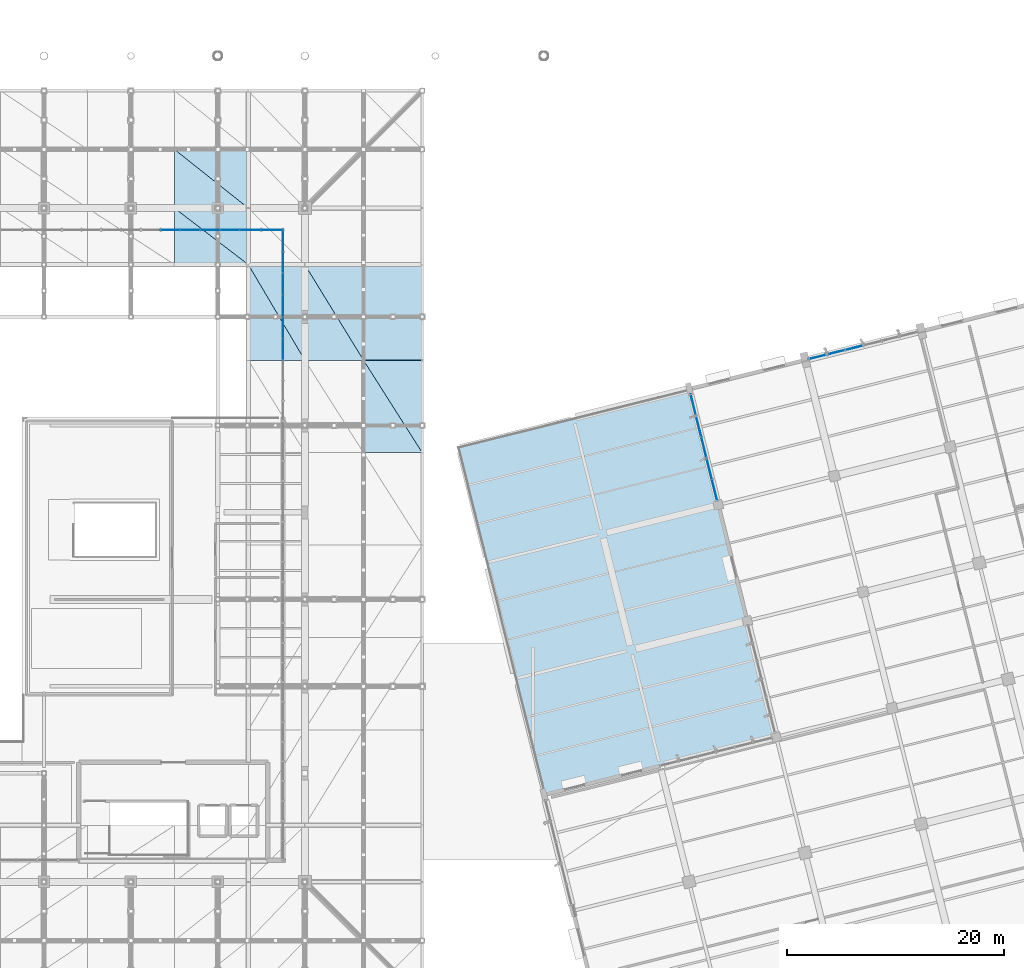
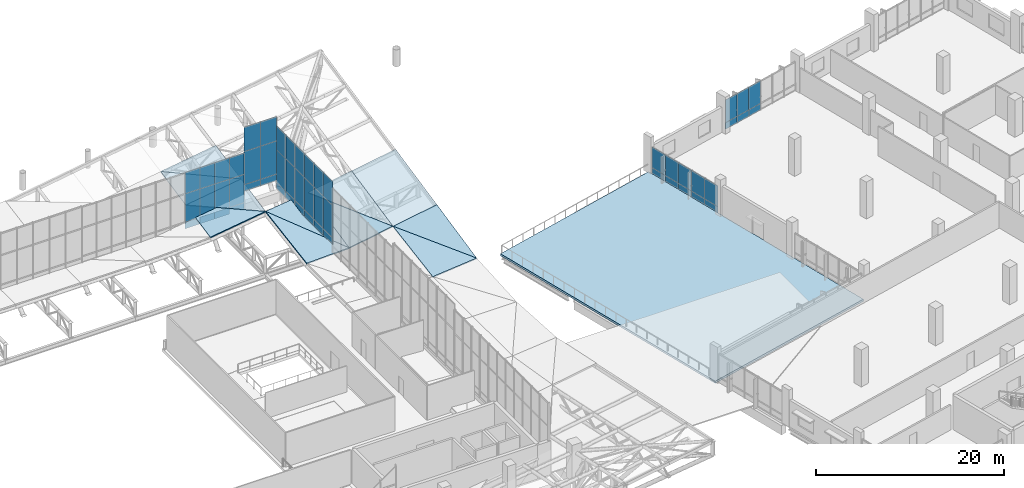
# One storey, part 112 of 137: 52 plates, 12 slabs, 6 elements without a shape of their own.
"""IFC4 building model written with IfcOpenShell, lengths in metres."""

from ifc_helpers import new_model, si_unit, direction, frame, origin, origin_2d, place, context, subcontext, project, spatial, polyline, rectangle, outline, extrude, material, layer, layer_set, type_object, element, aggregate, save


model = new_model("IFC4")

# Units and contexts
model_context = context("Model", 3, precision=1e-05, world=origin(), true_north=direction((0.0, 1.0)))
body_context = subcontext(model_context, "Body", "Model", "MODEL_VIEW")
ifc_project = project(units=[si_unit("LENGTHUNIT", "METRE"), si_unit("AREAUNIT", "SQUARE_METRE"), si_unit("VOLUMEUNIT", "CUBIC_METRE"), si_unit("PLANEANGLEUNIT", "RADIAN"), si_unit("MASSUNIT", "GRAM", prefix="KILO")], contexts=[model_context])

# Site, building, storey
site_placement = place(None, origin())
site = spatial("IfcSite", under=ifc_project, at=site_placement, CompositionType="ELEMENT")
building_placement = place(site_placement, origin())
building = spatial("IfcBuilding", under=site, at=building_placement, Name="Khorjan Park Terminus", CompositionType="ELEMENT")
storey_placement = place(building_placement, frame((0.0, 0.0, 11.4)))
storey = spatial("IfcBuildingStorey", under=building, at=storey_placement, Name="L02", CompositionType="ELEMENT", Elevation=11.4)

# Curtain wall, plates
ifc_material_1 = material(Name="Anodized Bronze Aluminium", Category="aluminium")
ifc_layer_1 = layer(ifc_material_1, 0.22)
ifc_layer_set_1 = layer_set([ifc_layer_1], Name="Anodized Bronze Aluminium")
curtain_wall_type_1 = type_object("IfcCurtainWallType", Name="CW-OPS-B", PredefinedType="NOTDEFINED", material=ifc_layer_set_1)
curtain_wall_1_placement = place(storey_placement, origin())
curtain_wall_1 = element("IfcCurtainWall", 1, at=curtain_wall_1_placement, inside=storey, type_object=curtain_wall_type_1, Name="Unitized curtain wall CW-B (CW-V5-N1-L02-B03)", PredefinedType="NOTDEFINED")
ifc_material_2 = material(Name="Low-E Solar Control Double Glazing", Category="glass")
ifc_layer_2 = layer(ifc_material_2, 0.032)
ifc_layer_set_2 = layer_set([ifc_layer_2], Name="Low-E Solar Control Double Glazing")
plate_type_1 = type_object("IfcPlateType", Name="GL-VIS-32", PredefinedType="CURTAIN_PANEL", material=ifc_layer_set_2)
plate_1_placement = place(storey_placement, frame((186.5534, 75.145, 0.833), z_axis=(0.0, 0.0, 1.0), x_axis=(-0.970295910648, -0.241921156122, 0.0)))
plate_1 = element("IfcPlate", 2, at=plate_1_placement, type_object=plate_type_1, Name="Curtain-wall panel VP-32 (CW-V5-N1-L02-B03-3-2)", PredefinedType="CURTAIN_PANEL", context=body_context, shape_type="SweptSolid", body=[
    extrude(rectangle(XDim=1.7233, YDim=0.032, at=origin_2d()), origin(), (0.0, 0.0, 1.0), 2.962),
])
plate_2_placement = place(storey_placement, frame((184.8813, 74.7281, 0.833), z_axis=(0.0, 0.0, 1.0), x_axis=(-0.970295910648, -0.241921156122, 0.0)))
plate_2 = element("IfcPlate", 3, at=plate_2_placement, type_object=plate_type_1, Name="Curtain-wall panel VP-32 (CW-V5-N1-L02-B03-4-2)", PredefinedType="CURTAIN_PANEL", context=body_context, shape_type="SweptSolid", body=[
    extrude(rectangle(XDim=1.7233, YDim=0.032, at=origin_2d()), origin(), (0.0, 0.0, 1.0), 2.962),
])
plate_3_placement = place(storey_placement, frame((183.2092, 74.3113, 0.833), z_axis=(0.0, 0.0, 1.0), x_axis=(-0.970295910648, -0.241921156122, 0.0)))
plate_3 = element("IfcPlate", 4, at=plate_3_placement, type_object=plate_type_1, Name="Curtain-wall panel VP-32 (CW-V5-N1-L02-B03-5-2)", PredefinedType="CURTAIN_PANEL", context=body_context, shape_type="SweptSolid", body=[
    extrude(rectangle(XDim=1.7233, YDim=0.032, at=origin_2d()), origin(), (0.0, 0.0, 1.0), 2.962),
])

ifc_layer_3 = layer(ifc_material_1, 0.22)
ifc_layer_set_3 = layer_set([ifc_layer_3], Name="Anodized Bronze Aluminium")
curtain_wall_type_2 = type_object("IfcCurtainWallType", Name="CW-CONC-CLR", PredefinedType="NOTDEFINED", material=ifc_layer_set_3)
curtain_wall_2_placement = place(storey_placement, origin())
curtain_wall_2 = element("IfcCurtainWall", 5, at=curtain_wall_2_placement, inside=storey, type_object=curtain_wall_type_2, Name="Unitized curtain wall CW-CL (CW-V2-N-CLR-07)", PredefinedType="NOTDEFINED")
ifc_material_3 = material(Name="Acoustic Laminated Solar Glazing", Category="glass")
ifc_layer_4 = layer(ifc_material_3, 0.036)
ifc_layer_set_4 = layer_set([ifc_layer_4], Name="Acoustic Laminated Solar Glazing")
plate_type_2 = type_object("IfcPlateType", Name="GL-VIS-36", PredefinedType="CURTAIN_PANEL", material=ifc_layer_set_4)
plate_4_placement = place(storey_placement, frame((129.0909, 86.0, 1.5663), z_axis=(0.0, 0.0, 1.0), x_axis=(-1.0, 0.0, 0.0)))
plate_4 = element("IfcPlate", 6, at=plate_4_placement, type_object=plate_type_2, Name="Curtain-wall panel VP-36 (CW-V2-N-CLR-07-0-2)", PredefinedType="CURTAIN_PANEL", context=body_context, shape_type="SweptSolid", body=[
    extrude(rectangle(XDim=1.8182, YDim=0.036, at=origin_2d()), origin(), (0.0, 0.0, 1.0), 3.6834),
])
plate_5_placement = place(storey_placement, frame((129.0909, 86.0, 5.2497), z_axis=(0.0, 0.0, 1.0), x_axis=(-1.0, 0.0, 0.0)))
plate_5 = element("IfcPlate", 7, at=plate_5_placement, type_object=plate_type_2, Name="Curtain-wall panel VP-36 (CW-V2-N-CLR-07-0-3)", PredefinedType="CURTAIN_PANEL", context=body_context, shape_type="SweptSolid", body=[
    extrude(rectangle(XDim=1.8182, YDim=0.036, at=origin_2d()), origin(), (0.0, 0.0, 1.0), 2.7886),
])
plate_6_placement = place(storey_placement, frame((127.2727, 86.0, 1.5663), z_axis=(0.0, 0.0, 1.0), x_axis=(-1.0, 0.0, 0.0)))
plate_6 = element("IfcPlate", 8, at=plate_6_placement, type_object=plate_type_2, Name="Curtain-wall panel VP-36 (CW-V2-N-CLR-07-1-2)", PredefinedType="CURTAIN_PANEL", context=body_context, shape_type="SweptSolid", body=[
    extrude(rectangle(XDim=1.8182, YDim=0.036, at=origin_2d()), origin(), (0.0, 0.0, 1.0), 3.6834),
])
plate_7_placement = place(storey_placement, frame((127.2727, 86.0, 5.2497), z_axis=(0.0, 0.0, 1.0), x_axis=(-1.0, 0.0, 0.0)))
plate_7 = element("IfcPlate", 9, at=plate_7_placement, type_object=plate_type_2, Name="Curtain-wall panel VP-36 (CW-V2-N-CLR-07-1-3)", PredefinedType="CURTAIN_PANEL", context=body_context, shape_type="SweptSolid", body=[
    extrude(rectangle(XDim=1.8182, YDim=0.036, at=origin_2d()), origin(), (0.0, 0.0, 1.0), 2.7886),
])
plate_8_placement = place(storey_placement, frame((125.4546, 86.0, 1.5663), z_axis=(0.0, 0.0, 1.0), x_axis=(-1.0, 0.0, 0.0)))
plate_8 = element("IfcPlate", 10, at=plate_8_placement, type_object=plate_type_2, Name="Curtain-wall panel VP-36 (CW-V2-N-CLR-07-2-2)", PredefinedType="CURTAIN_PANEL", context=body_context, shape_type="SweptSolid", body=[
    extrude(rectangle(XDim=1.8182, YDim=0.036, at=origin_2d()), origin(), (0.0, 0.0, 1.0), 3.6834),
])
plate_9_placement = place(storey_placement, frame((125.4546, 86.0, 5.2497), z_axis=(0.0, 0.0, 1.0), x_axis=(-1.0, 0.0, 0.0)))
plate_9 = element("IfcPlate", 11, at=plate_9_placement, type_object=plate_type_2, Name="Curtain-wall panel VP-36 (CW-V2-N-CLR-07-2-3)", PredefinedType="CURTAIN_PANEL", context=body_context, shape_type="SweptSolid", body=[
    extrude(rectangle(XDim=1.8182, YDim=0.036, at=origin_2d()), origin(), (0.0, 0.0, 1.0), 2.7886),
])
plate_10_placement = place(storey_placement, frame((123.6364, 86.0, 1.5663), z_axis=(0.0, 0.0, 1.0), x_axis=(-1.0, 0.0, 0.0)))
plate_10 = element("IfcPlate", 12, at=plate_10_placement, type_object=plate_type_2, Name="Curtain-wall panel VP-36 (CW-V2-N-CLR-07-3-2)", PredefinedType="CURTAIN_PANEL", context=body_context, shape_type="SweptSolid", body=[
    extrude(rectangle(XDim=1.8182, YDim=0.036, at=origin_2d()), origin(), (0.0, 0.0, 1.0), 3.6834),
])
plate_11_placement = place(storey_placement, frame((123.6364, 86.0, 5.2497), z_axis=(0.0, 0.0, 1.0), x_axis=(-1.0, 0.0, 0.0)))
plate_11 = element("IfcPlate", 13, at=plate_11_placement, type_object=plate_type_2, Name="Curtain-wall panel VP-36 (CW-V2-N-CLR-07-3-3)", PredefinedType="CURTAIN_PANEL", context=body_context, shape_type="SweptSolid", body=[
    extrude(rectangle(XDim=1.8182, YDim=0.036, at=origin_2d()), origin(), (0.0, 0.0, 1.0), 2.7886),
])

curtain_wall_3_placement = place(storey_placement, origin())
curtain_wall_3 = element("IfcCurtainWall", 14, at=curtain_wall_3_placement, inside=storey, type_object=curtain_wall_type_2, Name="Unitized curtain wall CW-CL (CW-V2-N-CLR-08)", PredefinedType="NOTDEFINED")
plate_12_placement = place(storey_placement, frame((133.0, 86.0, 3.8909), z_axis=(0.0, 0.0, 1.0), x_axis=(-1.0, 0.0, 0.0)))
plate_12 = element("IfcPlate", 15, at=plate_12_placement, type_object=plate_type_2, Name="Curtain-wall panel VP-36 (CW-V2-N-CLR-08-0-2)", PredefinedType="CURTAIN_PANEL", context=body_context, shape_type="SweptSolid", body=[
    extrude(rectangle(XDim=2.0, YDim=0.036, at=origin_2d()), origin(), (0.0, 0.0, 1.0), 4.3153),
])
plate_13_placement = place(storey_placement, frame((133.0, 86.0, 8.2062), z_axis=(0.0, 0.0, 1.0), x_axis=(-1.0, 0.0, 0.0)))
plate_13 = element("IfcPlate", 16, at=plate_13_placement, type_object=plate_type_2, Name="Curtain-wall panel VP-36 (CW-V2-N-CLR-08-0-3)", PredefinedType="CURTAIN_PANEL", context=body_context, shape_type="SweptSolid", body=[
    extrude(rectangle(XDim=2.0, YDim=0.036, at=origin_2d()), origin(), (0.0, 0.0, 1.0), 3.1758),
])
plate_14_placement = place(storey_placement, frame((131.0, 86.0, 3.8909), z_axis=(0.0, 0.0, 1.0), x_axis=(-1.0, 0.0, 0.0)))
plate_14 = element("IfcPlate", 17, at=plate_14_placement, type_object=plate_type_2, Name="Curtain-wall panel VP-36 (CW-V2-N-CLR-08-1-2)", PredefinedType="CURTAIN_PANEL", context=body_context, shape_type="SweptSolid", body=[
    extrude(rectangle(XDim=2.0, YDim=0.036, at=origin_2d()), origin(), (0.0, 0.0, 1.0), 4.3153),
])
plate_15_placement = place(storey_placement, frame((131.0, 86.0, 8.2062), z_axis=(0.0, 0.0, 1.0), x_axis=(-1.0, 0.0, 0.0)))
plate_15 = element("IfcPlate", 18, at=plate_15_placement, type_object=plate_type_2, Name="Curtain-wall panel VP-36 (CW-V2-N-CLR-08-1-3)", PredefinedType="CURTAIN_PANEL", context=body_context, shape_type="SweptSolid", body=[
    extrude(rectangle(XDim=2.0, YDim=0.036, at=origin_2d()), origin(), (0.0, 0.0, 1.0), 3.1758),
])

curtain_wall_4_placement = place(storey_placement, origin())
curtain_wall_4 = element("IfcCurtainWall", 19, at=curtain_wall_4_placement, inside=storey, type_object=curtain_wall_type_2, Name="Unitized curtain wall CW-CL (CW-V2-E-CLR-04)", PredefinedType="NOTDEFINED")
plate_16_placement = place(storey_placement, frame((134.0, 75.0, 2.8378), z_axis=(0.0, 0.0, 1.0), x_axis=(0.0, 1.0, 0.0)))
plate_16 = element("IfcPlate", 20, at=plate_16_placement, type_object=plate_type_2, Name="Curtain-wall panel VP-36 (CW-V2-E-CLR-04-0-2)", PredefinedType="CURTAIN_PANEL", context=body_context, shape_type="SweptSolid", body=[
    extrude(rectangle(XDim=2.0, YDim=0.036, at=origin_2d()), origin(), (0.0, 0.0, 1.0), 4.2298),
])
plate_17_placement = place(storey_placement, frame((134.0, 75.0, 7.0676), z_axis=(0.0, 0.0, 1.0), x_axis=(0.0, 1.0, 0.0)))
plate_17 = element("IfcPlate", 21, at=plate_17_placement, type_object=plate_type_2, Name="Curtain-wall panel VP-36 (CW-V2-E-CLR-04-0-3)", PredefinedType="CURTAIN_PANEL", context=body_context, shape_type="SweptSolid", body=[
    extrude(rectangle(XDim=2.0, YDim=0.036, at=origin_2d()), origin(), (0.0, 0.0, 1.0), 3.1234),
])
plate_18_placement = place(storey_placement, frame((134.0, 77.0, 2.8378), z_axis=(0.0, 0.0, 1.0), x_axis=(0.0, 1.0, 0.0)))
plate_18 = element("IfcPlate", 22, at=plate_18_placement, type_object=plate_type_2, Name="Curtain-wall panel VP-36 (CW-V2-E-CLR-04-1-2)", PredefinedType="CURTAIN_PANEL", context=body_context, shape_type="SweptSolid", body=[
    extrude(rectangle(XDim=2.0, YDim=0.036, at=origin_2d()), origin(), (0.0, 0.0, 1.0), 4.2298),
])
plate_19_placement = place(storey_placement, frame((134.0, 77.0, 7.0676), z_axis=(0.0, 0.0, 1.0), x_axis=(0.0, 1.0, 0.0)))
plate_19 = element("IfcPlate", 23, at=plate_19_placement, type_object=plate_type_2, Name="Curtain-wall panel VP-36 (CW-V2-E-CLR-04-1-3)", PredefinedType="CURTAIN_PANEL", context=body_context, shape_type="SweptSolid", body=[
    extrude(rectangle(XDim=2.0, YDim=0.036, at=origin_2d()), origin(), (0.0, 0.0, 1.0), 3.1234),
])
plate_20_placement = place(storey_placement, frame((134.0, 79.0, 2.8378), z_axis=(0.0, 0.0, 1.0), x_axis=(0.0, 1.0, 0.0)))
plate_20 = element("IfcPlate", 24, at=plate_20_placement, type_object=plate_type_2, Name="Curtain-wall panel VP-36 (CW-V2-E-CLR-04-2-2)", PredefinedType="CURTAIN_PANEL", context=body_context, shape_type="SweptSolid", body=[
    extrude(rectangle(XDim=2.0, YDim=0.036, at=origin_2d()), origin(), (0.0, 0.0, 1.0), 4.2298),
])
plate_21_placement = place(storey_placement, frame((134.0, 79.0, 7.0676), z_axis=(0.0, 0.0, 1.0), x_axis=(0.0, 1.0, 0.0)))
plate_21 = element("IfcPlate", 25, at=plate_21_placement, type_object=plate_type_2, Name="Curtain-wall panel VP-36 (CW-V2-E-CLR-04-2-3)", PredefinedType="CURTAIN_PANEL", context=body_context, shape_type="SweptSolid", body=[
    extrude(rectangle(XDim=2.0, YDim=0.036, at=origin_2d()), origin(), (0.0, 0.0, 1.0), 3.1234),
])
plate_22_placement = place(storey_placement, frame((134.0, 81.0, 2.8378), z_axis=(0.0, 0.0, 1.0), x_axis=(0.0, 1.0, 0.0)))
plate_22 = element("IfcPlate", 26, at=plate_22_placement, type_object=plate_type_2, Name="Curtain-wall panel VP-36 (CW-V2-E-CLR-04-3-2)", PredefinedType="CURTAIN_PANEL", context=body_context, shape_type="SweptSolid", body=[
    extrude(rectangle(XDim=2.0, YDim=0.036, at=origin_2d()), origin(), (0.0, 0.0, 1.0), 4.2298),
])
plate_23_placement = place(storey_placement, frame((134.0, 81.0, 7.0676), z_axis=(0.0, 0.0, 1.0), x_axis=(0.0, 1.0, 0.0)))
plate_23 = element("IfcPlate", 27, at=plate_23_placement, type_object=plate_type_2, Name="Curtain-wall panel VP-36 (CW-V2-E-CLR-04-3-3)", PredefinedType="CURTAIN_PANEL", context=body_context, shape_type="SweptSolid", body=[
    extrude(rectangle(XDim=2.0, YDim=0.036, at=origin_2d()), origin(), (0.0, 0.0, 1.0), 3.1234),
])
plate_24_placement = place(storey_placement, frame((134.0, 83.0, 2.8378), z_axis=(0.0, 0.0, 1.0), x_axis=(0.0, 1.0, 0.0)))
plate_24 = element("IfcPlate", 28, at=plate_24_placement, type_object=plate_type_2, Name="Curtain-wall panel VP-36 (CW-V2-E-CLR-04-4-2)", PredefinedType="CURTAIN_PANEL", context=body_context, shape_type="SweptSolid", body=[
    extrude(rectangle(XDim=2.0, YDim=0.036, at=origin_2d()), origin(), (0.0, 0.0, 1.0), 4.2298),
])
plate_25_placement = place(storey_placement, frame((134.0, 83.0, 7.0676), z_axis=(0.0, 0.0, 1.0), x_axis=(0.0, 1.0, 0.0)))
plate_25 = element("IfcPlate", 29, at=plate_25_placement, type_object=plate_type_2, Name="Curtain-wall panel VP-36 (CW-V2-E-CLR-04-4-3)", PredefinedType="CURTAIN_PANEL", context=body_context, shape_type="SweptSolid", body=[
    extrude(rectangle(XDim=2.0, YDim=0.036, at=origin_2d()), origin(), (0.0, 0.0, 1.0), 3.1234),
])
plate_26_placement = place(storey_placement, frame((134.0, 85.0, 2.8378), z_axis=(0.0, 0.0, 1.0), x_axis=(0.0, 1.0, 0.0)))
plate_26 = element("IfcPlate", 30, at=plate_26_placement, type_object=plate_type_2, Name="Curtain-wall panel VP-36 (CW-V2-E-CLR-04-5-2)", PredefinedType="CURTAIN_PANEL", context=body_context, shape_type="SweptSolid", body=[
    extrude(rectangle(XDim=2.0, YDim=0.036, at=origin_2d()), origin(), (0.0, 0.0, 1.0), 4.2298),
])
plate_27_placement = place(storey_placement, frame((134.0, 85.0, 7.0676), z_axis=(0.0, 0.0, 1.0), x_axis=(0.0, 1.0, 0.0)))
plate_27 = element("IfcPlate", 31, at=plate_27_placement, type_object=plate_type_2, Name="Curtain-wall panel VP-36 (CW-V2-E-CLR-04-5-3)", PredefinedType="CURTAIN_PANEL", context=body_context, shape_type="SweptSolid", body=[
    extrude(rectangle(XDim=2.0, YDim=0.036, at=origin_2d()), origin(), (0.0, 0.0, 1.0), 3.1234),
])

curtain_wall_5_placement = place(storey_placement, origin())
curtain_wall_5 = element("IfcCurtainWall", 32, at=curtain_wall_5_placement, inside=storey, type_object=curtain_wall_type_1, Name="Unitized curtain wall CW-B (CW-V5-NW1-L02-B01)", PredefinedType="NOTDEFINED")
plate_28_placement = place(storey_placement, frame((171.7514, 69.871, 0.76), z_axis=(0.0, 0.0, 1.0), x_axis=(0.241920791413, -0.97029600158, 0.0)))
plate_28 = element("IfcPlate", 33, at=plate_28_placement, type_object=plate_type_2, Name="Curtain-wall panel VP-36 (CW-V5-NW1-L02-B01-0-2)", PredefinedType="CURTAIN_PANEL", context=body_context, shape_type="SweptSolid", body=[
    extrude(rectangle(XDim=2.0131, YDim=0.036, at=origin_2d()), origin(), (0.0, 0.0, 1.0), 2.705),
])
plate_29_placement = place(storey_placement, frame((172.2384, 67.9177, 0.76), z_axis=(0.0, 0.0, 1.0), x_axis=(0.241920791413, -0.97029600158, 0.0)))
plate_29 = element("IfcPlate", 34, at=plate_29_placement, type_object=plate_type_2, Name="Curtain-wall panel VP-36 (CW-V5-NW1-L02-B01-1-2)", PredefinedType="CURTAIN_PANEL", context=body_context, shape_type="SweptSolid", body=[
    extrude(rectangle(XDim=2.0131, YDim=0.036, at=origin_2d()), origin(), (0.0, 0.0, 1.0), 2.705),
])
plate_30_placement = place(storey_placement, frame((172.7254, 65.9643, 0.76), z_axis=(0.0, 0.0, 1.0), x_axis=(0.241920791413, -0.97029600158, 0.0)))
plate_30 = element("IfcPlate", 35, at=plate_30_placement, type_object=plate_type_2, Name="Curtain-wall panel VP-36 (CW-V5-NW1-L02-B01-2-2)", PredefinedType="CURTAIN_PANEL", context=body_context, shape_type="SweptSolid", body=[
    extrude(rectangle(XDim=2.0131, YDim=0.036, at=origin_2d()), origin(), (0.0, 0.0, 1.0), 2.705),
])
plate_31_placement = place(storey_placement, frame((173.2125, 64.011, 0.76), z_axis=(0.0, 0.0, 1.0), x_axis=(0.241920791413, -0.97029600158, 0.0)))
plate_31 = element("IfcPlate", 36, at=plate_31_placement, type_object=plate_type_2, Name="Curtain-wall panel VP-36 (CW-V5-NW1-L02-B01-3-2)", PredefinedType="CURTAIN_PANEL", context=body_context, shape_type="SweptSolid", body=[
    extrude(rectangle(XDim=2.0131, YDim=0.036, at=origin_2d()), origin(), (0.0, 0.0, 1.0), 2.705),
])
plate_32_placement = place(storey_placement, frame((173.6995, 62.0577, 0.76), z_axis=(0.0, 0.0, 1.0), x_axis=(0.241920791413, -0.97029600158, 0.0)))
plate_32 = element("IfcPlate", 37, at=plate_32_placement, type_object=plate_type_2, Name="Curtain-wall panel VP-36 (CW-V5-NW1-L02-B01-4-2)", PredefinedType="CURTAIN_PANEL", context=body_context, shape_type="SweptSolid", body=[
    extrude(rectangle(XDim=2.0131, YDim=0.036, at=origin_2d()), origin(), (0.0, 0.0, 1.0), 2.705),
])

# Roof, slabs
ifc_material_4 = material(Name="Concrete C50/60", Category="concrete")
ifc_layer_5 = layer(ifc_material_4, 0.16)
ifc_layer_set_5 = layer_set([ifc_layer_5], Name="Concrete C50/60")
roof_type = type_object("IfcRoofType", Name="RF-SHELL-LOWER", PredefinedType="FREEFORM", material=ifc_layer_set_5)
roof_placement = place(storey_placement, origin())
roof = element("IfcRoof", 38, at=roof_placement, inside=storey, type_object=roof_type, Name="Lower 4-sided wrapping folded concrete shell roof RF-CS2 (4)", PredefinedType="FREEFORM")
ifc_layer_6 = layer(ifc_material_4, 0.16)
ifc_layer_set_6 = layer_set([ifc_layer_6], Name="Concrete C50/60")
slab_type_1 = type_object("IfcSlabType", Name="SL-SHL-160", PredefinedType="ROOF", material=ifc_layer_set_6)
slab_1_placement = place(storey_placement, frame((124.0, 82.8, 1.097), z_axis=(-0.141103373519, -0.194674451587, 0.97066559426), x_axis=(0.989598684842, 0.0, 0.143855632348)))
slab_1 = element("IfcSlab", 39, at=slab_1_placement, type_object=slab_type_1, Name="Lower 4-sided wrapping folded concrete shell facet RS-16 (143)", PredefinedType="ROOF", context=body_context, shape_type="SweptSolid", body=[
    extrude(outline(polyline([(0.0, 0.0), (6.871472349504156, 0.0), (0.15002703897577205, 5.301427383033385), (0.0, 0.0)])), origin(), (0.0, 0.0, -1.0), 0.16),
])
slab_2_placement = place(storey_placement, frame((130.8, 82.8, 2.0855), z_axis=(-0.143565966375, -0.197884192093, 0.969654917906), x_axis=(0.0, 0.979804962844, 0.199955582033)))
slab_2 = element("IfcSlab", 40, at=slab_2_placement, type_object=slab_type_1, Name="Lower 4-sided wrapping folded concrete shell facet RS-16 (144)", PredefinedType="ROOF", context=body_context, shape_type="SweptSolid", body=[
    extrude(outline(polyline([(0.0, 0.0), (5.307178670442519, -2.7755575615628914e-17), (5.1058633904519715, 6.8711802769278645), (0.0, 0.0)])), origin(), (0.0, 0.0, -1.0), 0.16),
])
slab_3_placement = place(storey_placement, frame((124.0, 88.0, 2.1399), z_axis=(-0.143662230538, -0.19460007699, 0.970305093026), x_axis=(0.989216268008, 0.0, 0.146462196857)))
slab_3 = element("IfcSlab", 41, at=slab_3_placement, type_object=slab_type_1, Name="Lower 4-sided wrapping folded concrete shell facet RS-16 (145)", PredefinedType="ROOF", context=body_context, shape_type="SweptSolid", body=[
    extrude(outline(polyline([(0.0, 0.0), (6.874128762250542, 2.7755575615628914e-17), (0.15861855919658724, 5.505245603302224), (0.0, 0.0)])), origin(), (0.0, 0.0, -1.0), 0.16),
])
slab_4_placement = place(storey_placement, frame((130.8, 88.0, 3.1467), z_axis=(-0.146217976754, -0.19780388759, 0.969274948262), x_axis=(0.0, 0.979805509738, 0.199952902172)))
slab_4 = element("IfcSlab", 42, at=slab_4_placement, type_object=slab_type_1, Name="Lower 4-sided wrapping folded concrete shell facet RS-16 (146)", PredefinedType="ROOF", context=body_context, shape_type="SweptSolid", body=[
    extrude(outline(polyline([(0.0, 0.0), (5.511297850778894, 0.0), (5.3061861637304, 6.873877714640861), (0.0, 0.0)])), origin(), (0.0, 0.0, -1.0), 0.16),
])
slab_5_placement = place(storey_placement, frame((130.8, 74.0, 0.654), z_axis=(-0.039658612893, -0.160433667371, 0.986249579365), x_axis=(0.999192495237, 0.0, 0.040179067453)))
slab_5 = element("IfcSlab", 43, at=slab_5_placement, type_object=slab_type_1, Name="Lower 4-sided wrapping folded concrete shell facet RS-16 (163)", PredefinedType="ROOF", context=body_context, shape_type="SweptSolid", body=[
    extrude(outline(polyline([(0.0, 0.0), (5.204202418238542, 0.0), (0.05751633505856441, 8.915485635746457), (0.0, 0.0)])), origin(), (0.0, 0.0, -1.0), 0.16),
])
slab_6_placement = place(storey_placement, frame((136.0, 74.0, 0.8631), z_axis=(-0.120580057686, -0.20614152892, 0.971064426155), x_axis=(0.0, 0.978201771532, 0.207656673795)))
slab_6 = element("IfcSlab", 44, at=slab_6_placement, type_object=slab_type_1, Name="Lower 4-sided wrapping folded concrete shell facet RS-16 (164)", PredefinedType="ROOF", context=body_context, shape_type="SweptSolid", body=[
    extrude(outline(polyline([(0.0, 0.0), (8.996099021798278, 2.7755575615628914e-17), (8.862015107528638, 5.238220116980005), (0.0, 0.0)])), origin(), (0.0, 0.0, -1.0), 0.16),
])
slab_7_placement = place(storey_placement, frame((136.0, 74.0, 0.8631), z_axis=(-0.163693780464, -0.204855634297, 0.965007002738), x_axis=(0.985916115378, 0.0, 0.167240585497)))
slab_7 = element("IfcSlab", 45, at=slab_7_placement, type_object=slab_type_1, Name="Lower 4-sided wrapping folded concrete shell facet RS-16 (182)", PredefinedType="ROOF", context=body_context, shape_type="SweptSolid", body=[
    extrude(outline(polyline([(0.0, 0.0), (5.477139399358033, 2.7755575615628914e-17), (0.3124221377678585, 8.990672389639862), (0.0, 0.0)])), origin(), (0.0, 0.0, -1.0), 0.16),
])
slab_8_placement = place(storey_placement, frame((141.4, 74.0, 1.7791), z_axis=(-0.163710804262, -0.204865540733, 0.965002011805), x_axis=(0.0, 0.978199513499, 0.207667310354)))
slab_8 = element("IfcSlab", 46, at=slab_8_placement, type_object=slab_type_1, Name="Lower 4-sided wrapping folded concrete shell facet RS-16 (183)", PredefinedType="ROOF", context=body_context, shape_type="SweptSolid", body=[
    extrude(outline(polyline([(0.0, 0.0), (8.99611978799749, 5.551115123125783e-17), (8.805875764981765, 5.4738511508541094), (0.0, 0.0)])), origin(), (0.0, 0.0, -1.0), 0.16),
])
slab_9_placement = place(storey_placement, frame((141.4, 65.5, 0.36), z_axis=(-0.096483848537, -0.163905438783, 0.981746338984), x_axis=(0.995205442629, 0.0, 0.097806579334)))
slab_9 = element("IfcSlab", 47, at=slab_9_placement, type_object=slab_type_1, Name="Lower 4-sided wrapping folded concrete shell facet RS-16 (198)", PredefinedType="ROOF", context=body_context, shape_type="SweptSolid", body=[
    extrude(outline(polyline([(0.0, 0.0), (5.426015341850783, 0.0), (0.13879731673281923, 8.61652947043459), (0.0, 0.0)])), origin(), (0.0, 0.0, -1.0), 0.16),
])
slab_10_placement = place(storey_placement, frame((146.8, 65.5, 0.8907), z_axis=(-0.16371084753, -0.204864304769, 0.965002266853), x_axis=(0.0, 0.978199779156, 0.207666058998)))
slab_10 = element("IfcSlab", 48, at=slab_10_placement, type_object=slab_type_1, Name="Lower 4-sided wrapping folded concrete shell facet RS-16 (199)", PredefinedType="ROOF", context=body_context, shape_type="SweptSolid", body=[
    extrude(outline(polyline([(0.0, 0.0), (8.68943152628525, 0.0), (8.499188649636826, 5.473851190696054), (0.0, 0.0)])), origin(), (0.0, 0.0, -1.0), 0.16),
])
slab_11_placement = place(storey_placement, frame((141.4, 74.0, 1.7791), z_axis=(-0.163710804262, -0.204865540733, 0.965002011805), x_axis=(0.985913104802, 0.0, 0.167258332465)))
slab_11 = element("IfcSlab", 49, at=slab_11_placement, type_object=slab_type_1, Name="Lower 4-sided wrapping folded concrete shell facet RS-16 (200)", PredefinedType="ROOF", context=body_context, shape_type="SweptSolid", body=[
    extrude(outline(polyline([(0.0, 0.0), (5.477156124303931, 0.0), (5.78962814101452, 8.990691434966099), (0.3124720167105885, 8.990691434966099), (0.0, 0.0)])), origin(), (0.0, 0.0, -1.0), 0.16),
])
aggregate(roof, [slab_1, slab_2, slab_3, slab_4, slab_5, slab_6, slab_7, slab_8, slab_9, slab_10, slab_11])

# Slab
ifc_material_5 = material(Name="Concrete C40/50", Category="concrete")
ifc_layer_7 = layer(ifc_material_5, 0.27)
ifc_layer_set_7 = layer_set([ifc_layer_7], Name="Concrete C40/50")
slab_type_2 = type_object("IfcSlabType", Name="SL-TER-270", PredefinedType="ROOF", material=ifc_layer_set_7)
slab_12_placement = place(storey_placement, frame((0.0, 0.0, -0.27)))
element("IfcSlab", 50, at=slab_12_placement, inside=storey, type_object=slab_type_2, Name="External terrace slab TS-27 (L02-TER-NW)", PredefinedType="ROOF", context=body_context, shape_type="SweptSolid", body=[
    extrude(outline(polyline([(158.0069, 34.0586), (179.3146, 39.3712), (171.3408, 71.3521), (150.0332, 66.0395), (158.0069, 34.0586)])), origin(), (0.0, 0.0, 1.0), 0.27),
])

# Plate
ifc_material_6 = material(Name="Insulated Anodized Bronze Spandrel Panel")
ifc_layer_8 = layer(ifc_material_6, 0.045)
ifc_layer_set_8 = layer_set([ifc_layer_8], Name="Insulated Anodized Bronze Spandrel Panel")
plate_type_3 = type_object("IfcPlateType", Name="SP-AL-45", PredefinedType="CURTAIN_PANEL", material=ifc_layer_set_8)
plate_33_placement = place(storey_placement, frame((129.0909, 86.0, 0.7063), z_axis=(0.0, 0.0, 1.0), x_axis=(-1.0, 0.0, 0.0)))
plate_33 = element("IfcPlate", 51, at=plate_33_placement, type_object=plate_type_3, Name="Curtain-wall panel SP-A45 (CW-V2-N-CLR-07-0-1)", PredefinedType="CURTAIN_PANEL", context=body_context, shape_type="SweptSolid", body=[
    extrude(rectangle(XDim=1.8182, YDim=0.045, at=origin_2d()), origin(), (0.0, 0.0, 1.0), 0.86),
])

plate_34_placement = place(storey_placement, frame((127.2727, 86.0, 0.7063), z_axis=(0.0, 0.0, 1.0), x_axis=(-1.0, 0.0, 0.0)))
plate_34 = element("IfcPlate", 52, at=plate_34_placement, type_object=plate_type_3, Name="Curtain-wall panel SP-A45 (CW-V2-N-CLR-07-1-1)", PredefinedType="CURTAIN_PANEL", context=body_context, shape_type="SweptSolid", body=[
    extrude(rectangle(XDim=1.8182, YDim=0.045, at=origin_2d()), origin(), (0.0, 0.0, 1.0), 0.86),
])

plate_35_placement = place(storey_placement, frame((125.4546, 86.0, 0.7063), z_axis=(0.0, 0.0, 1.0), x_axis=(-1.0, 0.0, 0.0)))
plate_35 = element("IfcPlate", 53, at=plate_35_placement, type_object=plate_type_3, Name="Curtain-wall panel SP-A45 (CW-V2-N-CLR-07-2-1)", PredefinedType="CURTAIN_PANEL", context=body_context, shape_type="SweptSolid", body=[
    extrude(rectangle(XDim=1.8182, YDim=0.045, at=origin_2d()), origin(), (0.0, 0.0, 1.0), 0.86),
])

plate_36_placement = place(storey_placement, frame((123.6364, 86.0, 0.7063), z_axis=(0.0, 0.0, 1.0), x_axis=(-1.0, 0.0, 0.0)))
plate_36 = element("IfcPlate", 54, at=plate_36_placement, type_object=plate_type_3, Name="Curtain-wall panel SP-A45 (CW-V2-N-CLR-07-3-1)", PredefinedType="CURTAIN_PANEL", context=body_context, shape_type="SweptSolid", body=[
    extrude(rectangle(XDim=1.8182, YDim=0.045, at=origin_2d()), origin(), (0.0, 0.0, 1.0), 0.86),
])

aggregate(curtain_wall_2, [plate_33, plate_4, plate_5, plate_34, plate_6, plate_7, plate_35, plate_8, plate_9, plate_36, plate_10, plate_11])

plate_37_placement = place(storey_placement, frame((133.0, 86.0, 3.0309), z_axis=(0.0, 0.0, 1.0), x_axis=(-1.0, 0.0, 0.0)))
plate_37 = element("IfcPlate", 55, at=plate_37_placement, type_object=plate_type_3, Name="Curtain-wall panel SP-A45 (CW-V2-N-CLR-08-0-1)", PredefinedType="CURTAIN_PANEL", context=body_context, shape_type="SweptSolid", body=[
    extrude(rectangle(XDim=2.0, YDim=0.045, at=origin_2d()), origin(), (0.0, 0.0, 1.0), 0.86),
])

plate_38_placement = place(storey_placement, frame((131.0, 86.0, 3.0309), z_axis=(0.0, 0.0, 1.0), x_axis=(-1.0, 0.0, 0.0)))
plate_38 = element("IfcPlate", 56, at=plate_38_placement, type_object=plate_type_3, Name="Curtain-wall panel SP-A45 (CW-V2-N-CLR-08-1-1)", PredefinedType="CURTAIN_PANEL", context=body_context, shape_type="SweptSolid", body=[
    extrude(rectangle(XDim=2.0, YDim=0.045, at=origin_2d()), origin(), (0.0, 0.0, 1.0), 0.86),
])

aggregate(curtain_wall_3, [plate_37, plate_12, plate_13, plate_38, plate_14, plate_15])

plate_39_placement = place(storey_placement, frame((134.0, 75.0, 1.9778), z_axis=(0.0, 0.0, 1.0), x_axis=(0.0, 1.0, 0.0)))
plate_39 = element("IfcPlate", 57, at=plate_39_placement, type_object=plate_type_3, Name="Curtain-wall panel SP-A45 (CW-V2-E-CLR-04-0-1)", PredefinedType="CURTAIN_PANEL", context=body_context, shape_type="SweptSolid", body=[
    extrude(rectangle(XDim=2.0, YDim=0.045, at=origin_2d()), origin(), (0.0, 0.0, 1.0), 0.86),
])

plate_40_placement = place(storey_placement, frame((134.0, 77.0, 1.9778), z_axis=(0.0, 0.0, 1.0), x_axis=(0.0, 1.0, 0.0)))
plate_40 = element("IfcPlate", 58, at=plate_40_placement, type_object=plate_type_3, Name="Curtain-wall panel SP-A45 (CW-V2-E-CLR-04-1-1)", PredefinedType="CURTAIN_PANEL", context=body_context, shape_type="SweptSolid", body=[
    extrude(rectangle(XDim=2.0, YDim=0.045, at=origin_2d()), origin(), (0.0, 0.0, 1.0), 0.86),
])

plate_41_placement = place(storey_placement, frame((134.0, 79.0, 1.9778), z_axis=(0.0, 0.0, 1.0), x_axis=(0.0, 1.0, 0.0)))
plate_41 = element("IfcPlate", 59, at=plate_41_placement, type_object=plate_type_3, Name="Curtain-wall panel SP-A45 (CW-V2-E-CLR-04-2-1)", PredefinedType="CURTAIN_PANEL", context=body_context, shape_type="SweptSolid", body=[
    extrude(rectangle(XDim=2.0, YDim=0.045, at=origin_2d()), origin(), (0.0, 0.0, 1.0), 0.86),
])

plate_42_placement = place(storey_placement, frame((134.0, 81.0, 1.9778), z_axis=(0.0, 0.0, 1.0), x_axis=(0.0, 1.0, 0.0)))
plate_42 = element("IfcPlate", 60, at=plate_42_placement, type_object=plate_type_3, Name="Curtain-wall panel SP-A45 (CW-V2-E-CLR-04-3-1)", PredefinedType="CURTAIN_PANEL", context=body_context, shape_type="SweptSolid", body=[
    extrude(rectangle(XDim=2.0, YDim=0.045, at=origin_2d()), origin(), (0.0, 0.0, 1.0), 0.86),
])

plate_43_placement = place(storey_placement, frame((134.0, 83.0, 1.9778), z_axis=(0.0, 0.0, 1.0), x_axis=(0.0, 1.0, 0.0)))
plate_43 = element("IfcPlate", 61, at=plate_43_placement, type_object=plate_type_3, Name="Curtain-wall panel SP-A45 (CW-V2-E-CLR-04-4-1)", PredefinedType="CURTAIN_PANEL", context=body_context, shape_type="SweptSolid", body=[
    extrude(rectangle(XDim=2.0, YDim=0.045, at=origin_2d()), origin(), (0.0, 0.0, 1.0), 0.86),
])

plate_44_placement = place(storey_placement, frame((134.0, 85.0, 1.9778), z_axis=(0.0, 0.0, 1.0), x_axis=(0.0, 1.0, 0.0)))
plate_44 = element("IfcPlate", 62, at=plate_44_placement, type_object=plate_type_3, Name="Curtain-wall panel SP-A45 (CW-V2-E-CLR-04-5-1)", PredefinedType="CURTAIN_PANEL", context=body_context, shape_type="SweptSolid", body=[
    extrude(rectangle(XDim=2.0, YDim=0.045, at=origin_2d()), origin(), (0.0, 0.0, 1.0), 0.86),
])

aggregate(curtain_wall_4, [plate_39, plate_16, plate_17, plate_40, plate_18, plate_19, plate_41, plate_20, plate_21, plate_42, plate_22, plate_23, plate_43, plate_24, plate_25, plate_44, plate_26, plate_27])

ifc_material_7 = material(Name="Insulated Bronze-Composite Spandrel Panel")
ifc_layer_9 = layer(ifc_material_7, 0.055)
ifc_layer_set_9 = layer_set([ifc_layer_9], Name="Insulated Bronze-Composite Spandrel Panel")
plate_type_4 = type_object("IfcPlateType", Name="SP-AL-55", PredefinedType="CURTAIN_PANEL", material=ifc_layer_set_9)
plate_45_placement = place(storey_placement, frame((186.5534, 75.145, -0.01), z_axis=(0.0, 0.0, 1.0), x_axis=(-0.970295910648, -0.241921156122, 0.0)))
plate_45 = element("IfcPlate", 63, at=plate_45_placement, type_object=plate_type_4, Name="Curtain-wall panel SP-A55 (CW-V5-N1-L02-B03-3-1)", PredefinedType="CURTAIN_PANEL", context=body_context, shape_type="SweptSolid", body=[
    extrude(rectangle(XDim=1.7233, YDim=0.055, at=origin_2d()), origin(), (0.0, 0.0, 1.0), 0.843),
])

plate_46_placement = place(storey_placement, frame((184.8813, 74.7281, -0.01), z_axis=(0.0, 0.0, 1.0), x_axis=(-0.970295910648, -0.241921156122, 0.0)))
plate_46 = element("IfcPlate", 64, at=plate_46_placement, type_object=plate_type_4, Name="Curtain-wall panel SP-A55 (CW-V5-N1-L02-B03-4-1)", PredefinedType="CURTAIN_PANEL", context=body_context, shape_type="SweptSolid", body=[
    extrude(rectangle(XDim=1.7233, YDim=0.055, at=origin_2d()), origin(), (0.0, 0.0, 1.0), 0.843),
])

plate_47_placement = place(storey_placement, frame((183.2092, 74.3113, -0.01), z_axis=(0.0, 0.0, 1.0), x_axis=(-0.970295910648, -0.241921156122, 0.0)))
plate_47 = element("IfcPlate", 65, at=plate_47_placement, type_object=plate_type_4, Name="Curtain-wall panel SP-A55 (CW-V5-N1-L02-B03-5-1)", PredefinedType="CURTAIN_PANEL", context=body_context, shape_type="SweptSolid", body=[
    extrude(rectangle(XDim=1.7233, YDim=0.055, at=origin_2d()), origin(), (0.0, 0.0, 1.0), 0.843),
])

aggregate(curtain_wall_1, [plate_45, plate_1, plate_46, plate_2, plate_47, plate_3])

plate_48_placement = place(storey_placement, frame((171.7514, 69.871, -0.01), z_axis=(0.0, 0.0, 1.0), x_axis=(0.241920791413, -0.97029600158, 0.0)))
plate_48 = element("IfcPlate", 66, at=plate_48_placement, type_object=plate_type_4, Name="Curtain-wall panel SP-A55 (CW-V5-NW1-L02-B01-0-1)", PredefinedType="CURTAIN_PANEL", context=body_context, shape_type="SweptSolid", body=[
    extrude(rectangle(XDim=2.0131, YDim=0.055, at=origin_2d()), origin(), (0.0, 0.0, 1.0), 0.77),
])

plate_49_placement = place(storey_placement, frame((172.2384, 67.9177, -0.01), z_axis=(0.0, 0.0, 1.0), x_axis=(0.241920791413, -0.97029600158, 0.0)))
plate_49 = element("IfcPlate", 67, at=plate_49_placement, type_object=plate_type_4, Name="Curtain-wall panel SP-A55 (CW-V5-NW1-L02-B01-1-1)", PredefinedType="CURTAIN_PANEL", context=body_context, shape_type="SweptSolid", body=[
    extrude(rectangle(XDim=2.0131, YDim=0.055, at=origin_2d()), origin(), (0.0, 0.0, 1.0), 0.77),
])

plate_50_placement = place(storey_placement, frame((172.7254, 65.9643, -0.01), z_axis=(0.0, 0.0, 1.0), x_axis=(0.241920791413, -0.97029600158, 0.0)))
plate_50 = element("IfcPlate", 68, at=plate_50_placement, type_object=plate_type_4, Name="Curtain-wall panel SP-A55 (CW-V5-NW1-L02-B01-2-1)", PredefinedType="CURTAIN_PANEL", context=body_context, shape_type="SweptSolid", body=[
    extrude(rectangle(XDim=2.0131, YDim=0.055, at=origin_2d()), origin(), (0.0, 0.0, 1.0), 0.77),
])

plate_51_placement = place(storey_placement, frame((173.2125, 64.011, -0.01), z_axis=(0.0, 0.0, 1.0), x_axis=(0.241920791413, -0.97029600158, 0.0)))
plate_51 = element("IfcPlate", 69, at=plate_51_placement, type_object=plate_type_4, Name="Curtain-wall panel SP-A55 (CW-V5-NW1-L02-B01-3-1)", PredefinedType="CURTAIN_PANEL", context=body_context, shape_type="SweptSolid", body=[
    extrude(rectangle(XDim=2.0131, YDim=0.055, at=origin_2d()), origin(), (0.0, 0.0, 1.0), 0.77),
])

plate_52_placement = place(storey_placement, frame((173.6995, 62.0577, -0.01), z_axis=(0.0, 0.0, 1.0), x_axis=(0.241920791413, -0.97029600158, 0.0)))
plate_52 = element("IfcPlate", 70, at=plate_52_placement, type_object=plate_type_4, Name="Curtain-wall panel SP-A55 (CW-V5-NW1-L02-B01-4-1)", PredefinedType="CURTAIN_PANEL", context=body_context, shape_type="SweptSolid", body=[
    extrude(rectangle(XDim=2.0131, YDim=0.055, at=origin_2d()), origin(), (0.0, 0.0, 1.0), 0.77),
])

aggregate(curtain_wall_5, [plate_48, plate_28, plate_49, plate_29, plate_50, plate_30, plate_51, plate_31, plate_52, plate_32])

save(model, "model.ifc")
